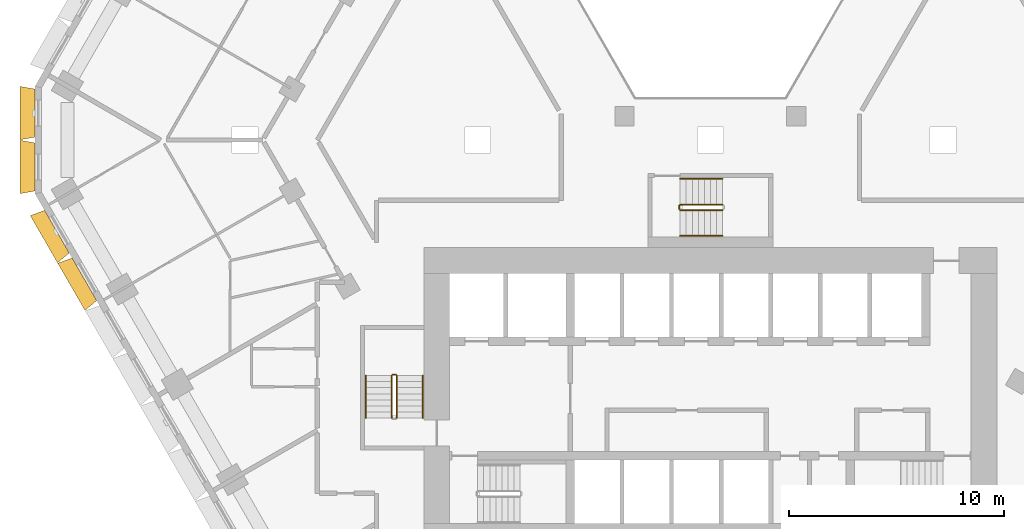
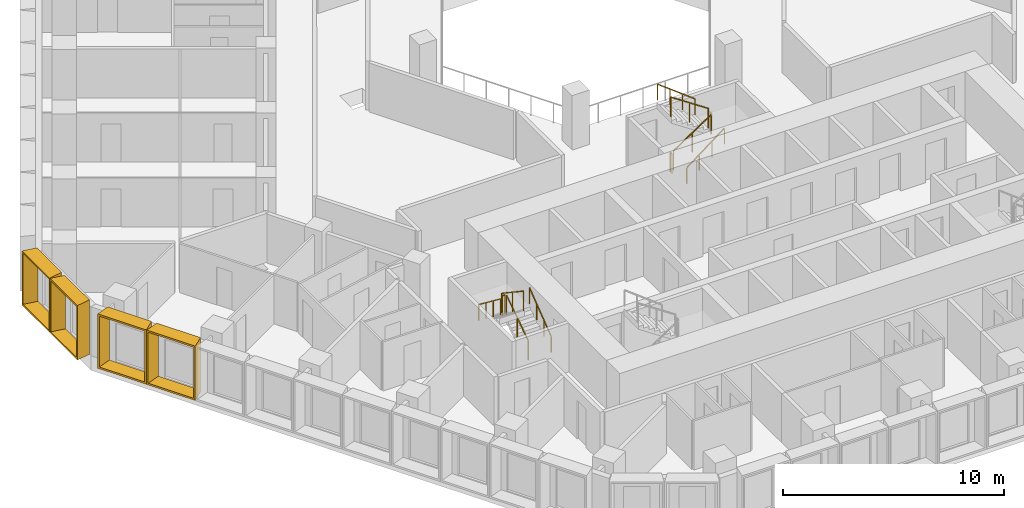
# One storey, part 19 of 21: 10 railings, 4 shading devices.
"""IFC4 building model written with IfcOpenShell, lengths in metres."""

from ifc_helpers import new_model, entity, si_unit, direction, frame, origin, origin_2d, place, context, subcontext, project, spatial, rectangle, extrude, source, transform, mapped, material, type_object, type_shapes, element, save


model = new_model("IFC4")

# Units and contexts
model_context = context("Model", 3, precision=1e-05, world=origin(), true_north=direction((0.0, 1.0)))
body_context = subcontext(model_context, "Body", "Model", "MODEL_VIEW")
ifc_project = project(units=[si_unit("LENGTHUNIT", "METRE"), si_unit("AREAUNIT", "SQUARE_METRE"), si_unit("VOLUMEUNIT", "CUBIC_METRE"), si_unit("PLANEANGLEUNIT", "RADIAN"), si_unit("MASSUNIT", "GRAM", prefix="KILO")], contexts=[model_context])

# Site, building, storey
site_placement = place(None, origin())
site = spatial("IfcSite", under=ifc_project, at=site_placement, CompositionType="ELEMENT")
building_placement = place(site_placement, origin())
building = spatial("IfcBuilding", under=site, at=building_placement, Name="Beryl Residences", CompositionType="ELEMENT")
storey_placement = place(building_placement, frame((0.0, 0.0, 23.39990234375)))
storey = spatial("IfcBuildingStorey", under=building, at=storey_placement, Name="L06", CompositionType="ELEMENT", Elevation=23.39990234375)

# Shading devices
ifc_material_1 = material(Name="Aluminium pale anodised", Category="aluminium")
shading_device_type_1 = type_object("IfcShadingDeviceType", Name="FR250-70A OUTER SKIN frame 700 mm deep, splay 10/10 deg, 2500 x 3000 mm cell", PredefinedType="USERDEFINED", material=ifc_material_1)
cartesian_point_1 = entity("IfcCartesianPoint", [-1.116455078125, 0.0])
cartesian_point_2 = entity("IfcCartesianPoint", [-1.03515625, 0.10009765625])
cartesian_point_3 = entity("IfcCartesianPoint", [-1.239990234375, 0.0])
cartesian_point_4 = entity("IfcCartesianPoint", [-1.15869140625, 0.10009765625])
shared_shape_1 = source(origin(), body_context, "Body", "SweptSolid", [
    entity("IfcExtrudedAreaSolidTapered", entity("IfcArbitraryProfileDefWithVoids", "AREA", None, entity("IfcPolyline", [cartesian_point_1, entity("IfcCartesianPoint", [1.116455078125, 0.0]), entity("IfcCartesianPoint", [1.116455078125, 3.0]), entity("IfcCartesianPoint", [-1.116455078125, 3.0]), cartesian_point_1]), [entity("IfcPolyline", [cartesian_point_2, entity("IfcCartesianPoint", [1.03515625, 0.10009765625]), entity("IfcCartesianPoint", [1.03515625, 2.89990234375]), entity("IfcCartesianPoint", [-1.03515625, 2.89990234375]), cartesian_point_2])]), entity("IfcAxis2Placement3D", entity("IfcCartesianPoint", [0.0, 0.0, 0.0]), entity("IfcDirection", [0.0, 1.0, 0.0]), entity("IfcDirection", [-1.0, 0.0, 0.0])), entity("IfcDirection", [0.0, 0.0, 1.0]), 0.699951171875, entity("IfcArbitraryProfileDefWithVoids", "AREA", None, entity("IfcPolyline", [cartesian_point_3, entity("IfcCartesianPoint", [1.239990234375, 0.0]), entity("IfcCartesianPoint", [1.239990234375, 3.0]), entity("IfcCartesianPoint", [-1.239990234375, 3.0]), cartesian_point_3]), [entity("IfcPolyline", [cartesian_point_4, entity("IfcCartesianPoint", [1.15869140625, 0.10009765625]), entity("IfcCartesianPoint", [1.15869140625, 2.89990234375]), entity("IfcCartesianPoint", [-1.15869140625, 2.89990234375]), cartesian_point_4])])),
])
type_shapes(shading_device_type_1, [shared_shape_1])
for number, where, z_axis, x_axis, name in (
    (1, (-31.35009765625, 1.25, 0.0), (0.0, 0.0, 1.0), (0.0, 1.0, 0.0), "FR250-70A frame L06 NW-SW 1"),
    (2, (-31.35009765625, -1.25, 0.0), (0.0, 0.0, 1.0), (0.0, 1.0, 0.0), "FR250-70A frame L06 NW-SW 2"),
):
    element("IfcShadingDevice", number, at=place(storey_placement, frame(where, z_axis=z_axis, x_axis=x_axis)), inside=storey, type_object=shading_device_type_1, Name=name, ObjectType="OUTER SKIN", PredefinedType="USERDEFINED", context=body_context, shape_type="MappedRepresentation", body=[
        mapped(shared_shape_1, transform((0.0, 0.0, 0.0))),
    ])
ifc_material_2 = material(Name="Aluminium pale anodised", Category="aluminium")
shading_device_type_2 = type_object("IfcShadingDeviceType", Name="FR255-70A OUTER SKIN frame 700 mm deep, splay 10/10 deg, 2550 x 3000 mm cell", PredefinedType="USERDEFINED", material=ifc_material_2)
cartesian_point_5 = entity("IfcCartesianPoint", [-1.1416015625, 0.0])
cartesian_point_6 = entity("IfcCartesianPoint", [-1.060302734375, 0.10009765625])
cartesian_point_7 = entity("IfcCartesianPoint", [-1.264892578125, 0.0])
cartesian_point_8 = entity("IfcCartesianPoint", [-1.18359375, 0.10009765625])
shared_shape_2 = source(origin(), body_context, "Body", "SweptSolid", [
    entity("IfcExtrudedAreaSolidTapered", entity("IfcArbitraryProfileDefWithVoids", "AREA", None, entity("IfcPolyline", [cartesian_point_5, entity("IfcCartesianPoint", [1.1416015625, 0.0]), entity("IfcCartesianPoint", [1.1416015625, 3.0]), entity("IfcCartesianPoint", [-1.1416015625, 3.0]), cartesian_point_5]), [entity("IfcPolyline", [cartesian_point_6, entity("IfcCartesianPoint", [1.060302734375, 0.10009765625]), entity("IfcCartesianPoint", [1.060302734375, 2.89990234375]), entity("IfcCartesianPoint", [-1.060302734375, 2.89990234375]), cartesian_point_6])]), entity("IfcAxis2Placement3D", entity("IfcCartesianPoint", [0.0, 0.0, 0.0]), entity("IfcDirection", [0.0, 1.0, 0.0]), entity("IfcDirection", [-1.0, 0.0, 0.0])), entity("IfcDirection", [0.0, 0.0, 1.0]), 0.699951171875, entity("IfcArbitraryProfileDefWithVoids", "AREA", None, entity("IfcPolyline", [cartesian_point_7, entity("IfcCartesianPoint", [1.264892578125, 0.0]), entity("IfcCartesianPoint", [1.264892578125, 3.0]), entity("IfcCartesianPoint", [-1.264892578125, 3.0]), cartesian_point_7]), [entity("IfcPolyline", [cartesian_point_8, entity("IfcCartesianPoint", [1.18359375, 0.10009765625]), entity("IfcCartesianPoint", [1.18359375, 2.89990234375]), entity("IfcCartesianPoint", [-1.18359375, 2.89990234375]), cartesian_point_8])])),
])
type_shapes(shading_device_type_2, [shared_shape_2])
for number, where, z_axis, x_axis, name in (
    (3, (-30.3359375, -4.2548828125, 0.0), (0.0, 0.0, 1.0), (-0.5, 0.866025403784, 0.0), "FR255-70A frame L06 SW 1"),
    (4, (-29.06005859375, -6.465087890625, 0.0), (0.0, 0.0, 1.0), (-0.5, 0.866025403784, 0.0), "FR255-70A frame L06 SW 2"),
):
    element("IfcShadingDevice", number, at=place(storey_placement, frame(where, z_axis=z_axis, x_axis=x_axis)), inside=storey, type_object=shading_device_type_2, Name=name, ObjectType="OUTER SKIN", PredefinedType="USERDEFINED", context=body_context, shape_type="MappedRepresentation", body=[
        mapped(shared_shape_2, transform((0.0, 0.0, 0.0))),
    ])

# Railings
ifc_material_3 = material(Name="Stainless steel balustrade with glass infill", Category="steel")
railing_type_1 = type_object("IfcRailingType", Name="SG1 stair guard 1100 mm", PredefinedType="GUARDRAIL", material=ifc_material_3)
railing_1_placement = place(storey_placement, frame((-14.550048828125, -12.89990234375, 0.1875)))
element("IfcRailing", 5, at=railing_1_placement, inside=storey, type_object=railing_type_1, Name="L06 ST-2 stair guard 1", PredefinedType="GUARDRAIL", context=body_context, shape_type="SweptSolid", body=[
    extrude(rectangle(XDim=0.048095703125, YDim=0.048095703125, at=origin_2d()), frame((0.0, 0.0, 1.076171875), z_axis=(0.0, 0.830902050051, 0.556418712142), x_axis=(-1.0, 0.0, 0.0)), (0.0, 0.0, 1.0), 2.35888671875),
    extrude(rectangle(XDim=0.0419921875, YDim=0.0419921875, at=origin_2d()), origin(), (0.0, 0.0, 1.0), 1.052001953125),
    extrude(rectangle(XDim=0.0419921875, YDim=0.0419921875, at=origin_2d()), frame((0.0, 0.97998046875, 0.65625)), (0.0, 0.0, 1.0), 1.052001953125),
    extrude(rectangle(XDim=0.0419921875, YDim=0.0419921875, at=origin_2d()), frame((0.0, 1.9599609375, 1.3125)), (0.0, 0.0, 1.0), 1.052001953125),
])
railing_2_placement = place(storey_placement, frame((-14.60009765625, -10.889892578125, 1.5)))
element("IfcRailing", 6, at=railing_2_placement, inside=storey, type_object=railing_type_1, Name="L06 ST-2 stair guard 2", PredefinedType="GUARDRAIL", context=body_context, shape_type="SweptSolid", body=[
    extrude(rectangle(XDim=0.048095703125, YDim=0.048095703125, at=origin_2d()), frame((0.0, 0.0, 1.076171875), z_axis=(-1.0, 0.0, 0.0), x_axis=(0.0, -1.0, 0.0)), (0.0, 0.0, 1.0), 0.14990234375),
    extrude(rectangle(XDim=0.0419921875, YDim=0.0419921875, at=origin_2d()), origin(), (0.0, 0.0, 1.0), 1.052001953125),
    extrude(rectangle(XDim=0.0419921875, YDim=0.0419921875, at=origin_2d()), frame((-0.14990234375, 0.0, 0.0)), (0.0, 0.0, 1.0), 1.052001953125),
])
railing_3_placement = place(storey_placement, frame((-14.800048828125, -10.93994140625, 1.6875)))
element("IfcRailing", 7, at=railing_3_placement, inside=storey, type_object=railing_type_1, Name="L06 ST-2 stair guard 3", PredefinedType="GUARDRAIL", context=body_context, shape_type="SweptSolid", body=[
    extrude(rectangle(XDim=0.048095703125, YDim=0.048095703125, at=origin_2d()), frame((0.0, 0.0, 1.076171875), z_axis=(0.0, -0.830902050051, 0.556418712142), x_axis=(1.0, 0.0, 0.0)), (0.0, 0.0, 1.0), 2.35888671875),
    extrude(rectangle(XDim=0.0419921875, YDim=0.0419921875, at=origin_2d()), origin(), (0.0, 0.0, 1.0), 1.052001953125),
    extrude(rectangle(XDim=0.0419921875, YDim=0.0419921875, at=origin_2d()), frame((0.0, -0.97998046875, 0.65625)), (0.0, 0.0, 1.0), 1.052001953125),
    extrude(rectangle(XDim=0.0419921875, YDim=0.0419921875, at=origin_2d()), frame((0.0, -1.9599609375, 1.3125)), (0.0, 0.0, 1.0), 1.052001953125),
])
railing_4_placement = place(storey_placement, frame((-1.39990234375, -3.25, 0.1875)))
element("IfcRailing", 8, at=railing_4_placement, inside=storey, type_object=railing_type_1, Name="L06 ST-4 stair guard 1", PredefinedType="GUARDRAIL", context=body_context, shape_type="SweptSolid", body=[
    extrude(rectangle(XDim=0.048095703125, YDim=0.048095703125, at=origin_2d()), frame((0.0, 0.0, 1.076171875), z_axis=(0.830902050051, 0.0, 0.556418712142), x_axis=(0.0, 1.0, 0.0)), (0.0, 0.0, 1.0), 2.35888671875),
    extrude(rectangle(XDim=0.0419921875, YDim=0.0419921875, at=origin_2d()), origin(), (0.0, 0.0, 1.0), 1.052001953125),
    extrude(rectangle(XDim=0.0419921875, YDim=0.0419921875, at=origin_2d()), frame((0.97998046875, 0.0, 0.65625)), (0.0, 0.0, 1.0), 1.052001953125),
    extrude(rectangle(XDim=0.0419921875, YDim=0.0419921875, at=origin_2d()), frame((1.9599609375, 0.0, 1.3125)), (0.0, 0.0, 1.0), 1.052001953125),
])
railing_5_placement = place(storey_placement, frame((0.56005859375, -3.0, 1.6875)))
element("IfcRailing", 9, at=railing_5_placement, inside=storey, type_object=railing_type_1, Name="L06 ST-4 stair guard 3", PredefinedType="GUARDRAIL", context=body_context, shape_type="SweptSolid", body=[
    extrude(rectangle(XDim=0.048095703125, YDim=0.048095703125, at=origin_2d()), frame((0.0, 0.0, 1.076171875), z_axis=(-0.830902050051, 0.0, 0.556418712142), x_axis=(0.0, -1.0, 0.0)), (0.0, 0.0, 1.0), 2.35888671875),
    extrude(rectangle(XDim=0.0419921875, YDim=0.0419921875, at=origin_2d()), origin(), (0.0, 0.0, 1.0), 1.052001953125),
    extrude(rectangle(XDim=0.0419921875, YDim=0.0419921875, at=origin_2d()), frame((-0.97998046875, 0.0, 0.65625)), (0.0, 0.0, 1.0), 1.052001953125),
    extrude(rectangle(XDim=0.0419921875, YDim=0.0419921875, at=origin_2d()), frame((-1.9599609375, 0.0, 1.3125)), (0.0, 0.0, 1.0), 1.052001953125),
])
railing_6_placement = place(storey_placement, frame((-1.449951171875, -3.199951171875, 0.0)))
element("IfcRailing", 10, at=railing_6_placement, inside=storey, type_object=railing_type_1, Name="L06 ST-4 stair guard 4", PredefinedType="GUARDRAIL", context=body_context, shape_type="SweptSolid", body=[
    extrude(rectangle(XDim=0.048095703125, YDim=0.048095703125, at=origin_2d()), frame((0.0, 0.0, 1.076171875), z_axis=(0.0, 1.0, 0.0), x_axis=(-1.0, 0.0, 0.0)), (0.0, 0.0, 1.0), 0.14990234375),
    extrude(rectangle(XDim=0.0419921875, YDim=0.0419921875, at=origin_2d()), origin(), (0.0, 0.0, 1.0), 1.052001953125),
    extrude(rectangle(XDim=0.0419921875, YDim=0.0419921875, at=origin_2d()), frame((0.0, 0.14990234375, 0.0)), (0.0, 0.0, 1.0), 1.052001953125),
])
ifc_material_4 = material(Name="Stainless steel handrail", Category="steel")
railing_type_2 = type_object("IfcRailingType", Name="SRL1 stair handrail 900 mm", PredefinedType="HANDRAIL", material=ifc_material_4)
railing_7_placement = place(storey_placement, frame((-13.35009765625, -12.89990234375, 0.1875)))
element("IfcRailing", 11, at=railing_7_placement, inside=storey, type_object=railing_type_2, Name="L06 ST-2 stair handrail 1", PredefinedType="HANDRAIL", context=body_context, shape_type="SweptSolid", body=[
    extrude(rectangle(XDim=0.048095703125, YDim=0.048095703125, at=origin_2d()), frame((0.0, 0.0, 0.8759765625), z_axis=(0.0, 0.794121922505, 0.607758481798), x_axis=(-1.0, 0.0, 0.0)), (0.0, 0.0, 1.0), 2.468017578125),
    extrude(rectangle(XDim=0.0419921875, YDim=0.0419921875, at=origin_2d()), origin(), (0.0, 0.0, 1.0), 0.851806640625),
    extrude(rectangle(XDim=0.0419921875, YDim=0.0419921875, at=origin_2d()), frame((0.0, 0.6533203125, 0.5)), (0.0, 0.0, 1.0), 0.851806640625),
    extrude(rectangle(XDim=0.0419921875, YDim=0.0419921875, at=origin_2d()), frame((0.0, 1.306640625, 1.0)), (0.0, 0.0, 1.0), 0.851806640625),
    extrude(rectangle(XDim=0.0419921875, YDim=0.0419921875, at=origin_2d()), frame((0.0, 1.9599609375, 1.5)), (0.0, 0.0, 1.0), 0.851806640625),
])
railing_8_placement = place(storey_placement, frame((-16.0, -10.93994140625, 1.6875)))
element("IfcRailing", 12, at=railing_8_placement, inside=storey, type_object=railing_type_2, Name="L06 ST-2 stair handrail 2", PredefinedType="HANDRAIL", context=body_context, shape_type="SweptSolid", body=[
    extrude(rectangle(XDim=0.048095703125, YDim=0.048095703125, at=origin_2d()), frame((0.0, 0.0, 0.8759765625), z_axis=(0.0, -0.794121922505, 0.607758481798), x_axis=(1.0, 0.0, 0.0)), (0.0, 0.0, 1.0), 2.468017578125),
    extrude(rectangle(XDim=0.0419921875, YDim=0.0419921875, at=origin_2d()), origin(), (0.0, 0.0, 1.0), 0.851806640625),
    extrude(rectangle(XDim=0.0419921875, YDim=0.0419921875, at=origin_2d()), frame((0.0, -0.6533203125, 0.5)), (0.0, 0.0, 1.0), 0.851806640625),
    extrude(rectangle(XDim=0.0419921875, YDim=0.0419921875, at=origin_2d()), frame((0.0, -1.306640625, 1.0)), (0.0, 0.0, 1.0), 0.851806640625),
    extrude(rectangle(XDim=0.0419921875, YDim=0.0419921875, at=origin_2d()), frame((0.0, -1.9599609375, 1.5)), (0.0, 0.0, 1.0), 0.851806640625),
])
railing_9_placement = place(storey_placement, frame((-1.39990234375, -4.449951171875, 0.1875)))
element("IfcRailing", 13, at=railing_9_placement, inside=storey, type_object=railing_type_2, Name="L06 ST-4 stair handrail 1", PredefinedType="HANDRAIL", context=body_context, shape_type="SweptSolid", body=[
    extrude(rectangle(XDim=0.048095703125, YDim=0.048095703125, at=origin_2d()), frame((0.0, 0.0, 0.8759765625), z_axis=(0.794121922505, 0.0, 0.607758481798), x_axis=(0.0, 1.0, 0.0)), (0.0, 0.0, 1.0), 2.468017578125),
    extrude(rectangle(XDim=0.0419921875, YDim=0.0419921875, at=origin_2d()), origin(), (0.0, 0.0, 1.0), 0.851806640625),
    extrude(rectangle(XDim=0.0419921875, YDim=0.0419921875, at=origin_2d()), frame((0.6533203125, 0.0, 0.5)), (0.0, 0.0, 1.0), 0.851806640625),
    extrude(rectangle(XDim=0.0419921875, YDim=0.0419921875, at=origin_2d()), frame((1.306640625, 0.0, 1.0)), (0.0, 0.0, 1.0), 0.851806640625),
    extrude(rectangle(XDim=0.0419921875, YDim=0.0419921875, at=origin_2d()), frame((1.9599609375, 0.0, 1.5)), (0.0, 0.0, 1.0), 0.851806640625),
])
railing_10_placement = place(storey_placement, frame((0.56005859375, -1.800048828125, 1.6875)))
element("IfcRailing", 14, at=railing_10_placement, inside=storey, type_object=railing_type_2, Name="L06 ST-4 stair handrail 2", PredefinedType="HANDRAIL", context=body_context, shape_type="SweptSolid", body=[
    extrude(rectangle(XDim=0.048095703125, YDim=0.048095703125, at=origin_2d()), frame((0.0, 0.0, 0.8759765625), z_axis=(-0.794121922505, 0.0, 0.607758481798), x_axis=(0.0, -1.0, 0.0)), (0.0, 0.0, 1.0), 2.468017578125),
    extrude(rectangle(XDim=0.0419921875, YDim=0.0419921875, at=origin_2d()), origin(), (0.0, 0.0, 1.0), 0.851806640625),
    extrude(rectangle(XDim=0.0419921875, YDim=0.0419921875, at=origin_2d()), frame((-0.6533203125, 0.0, 0.5)), (0.0, 0.0, 1.0), 0.851806640625),
    extrude(rectangle(XDim=0.0419921875, YDim=0.0419921875, at=origin_2d()), frame((-1.306640625, 0.0, 1.0)), (0.0, 0.0, 1.0), 0.851806640625),
    extrude(rectangle(XDim=0.0419921875, YDim=0.0419921875, at=origin_2d()), frame((-1.9599609375, 0.0, 1.5)), (0.0, 0.0, 1.0), 0.851806640625),
])

save(model, "model.ifc")
